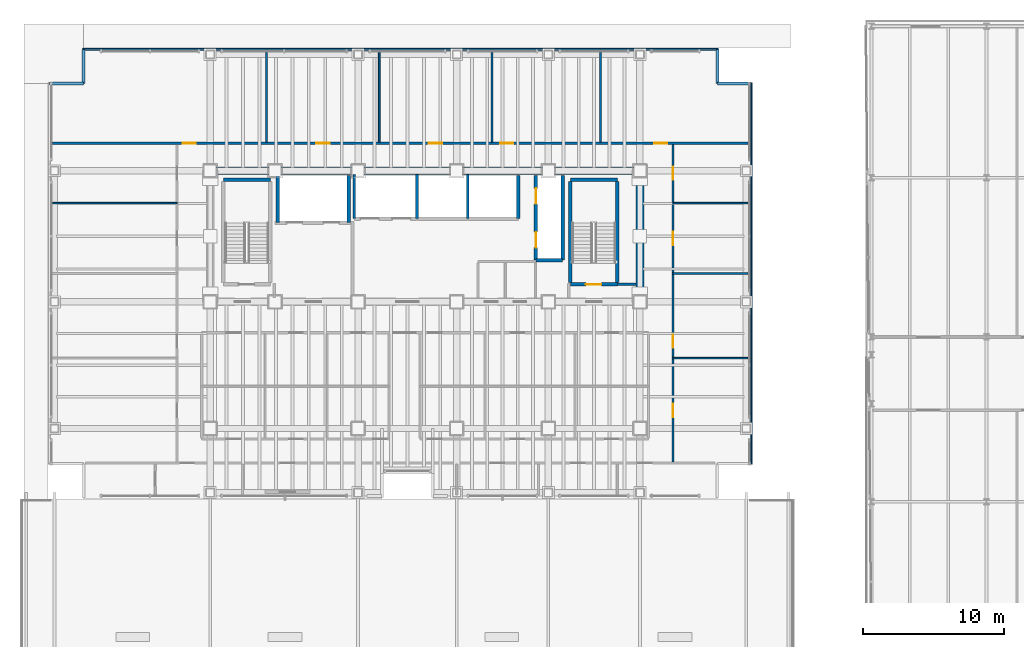
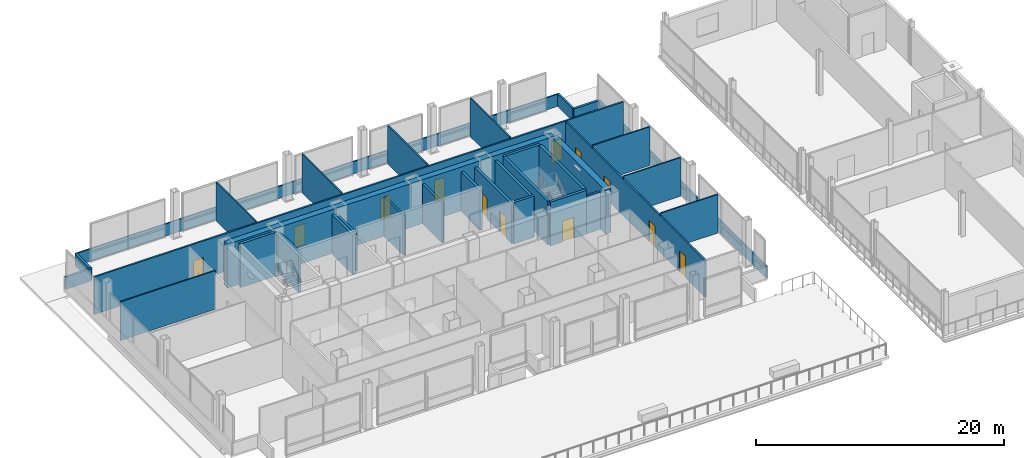
# One storey, part 28 of 34: 33 walls, 12 doors, 12 openings.
"""IFC4 building model written with IfcOpenShell, lengths in metres."""

from ifc_helpers import new_model, si_unit, direction, frame, frame_2d, origin, place, context, subcontext, project, spatial, rectangle, extrude, material, layer, layer_set, type_object, element, fill, save


model = new_model("IFC4")

# Units and contexts
model_context = context("Model", 3, precision=1e-05, world=origin(), true_north=direction((0.0, 1.0)))
body_context = subcontext(model_context, "Body", "Model", "MODEL_VIEW")
ifc_project = project(units=[si_unit("LENGTHUNIT", "METRE"), si_unit("AREAUNIT", "SQUARE_METRE"), si_unit("VOLUMEUNIT", "CUBIC_METRE"), si_unit("PLANEANGLEUNIT", "RADIAN"), si_unit("MASSUNIT", "GRAM", prefix="KILO")], contexts=[model_context])

# Site, building, storey
site_placement = place(None, origin())
site = spatial("IfcSite", under=ifc_project, at=site_placement, CompositionType="ELEMENT")
building_placement = place(site_placement, origin())
building = spatial("IfcBuilding", under=site, at=building_placement, Name="Noeulbin Bourse Tower", CompositionType="ELEMENT")
storey_placement = place(building_placement, frame((0.0, 0.0, 22.0)))
storey = spatial("IfcBuildingStorey", under=building, at=storey_placement, Name="L05", CompositionType="ELEMENT", Elevation=22.0)

# Walls
ifc_material_1 = material(Name="Concrete C60/75", Category="concrete")
ifc_layer_1 = layer(ifc_material_1, 0.550048828125)
ifc_layer_set_1 = layer_set([ifc_layer_1], Name="Concrete C60/75")
wall_type_1 = type_object("IfcWallType", Name="WAL-CORE-550", PredefinedType="SHEAR", material=ifc_layer_set_1)
wall_1_placement = place(storey_placement, frame((13.5, 38.300048828125, 0.0), z_axis=(0.0, 0.0, 1.0), x_axis=(1.0, 0.0, 0.0)))
element("IfcWall", 1, at=wall_1_placement, inside=storey, type_object=wall_type_1, Name="Rear Core North Shear Wall L05", PredefinedType="SHEAR", context=body_context, shape_type="SweptSolid", body=[
    extrude(rectangle(XDim=30.5, YDim=0.550048828125, at=frame_2d((15.25, 0.0))), origin(), (0.0, 0.0, 1.0), 4.320068359375),
])
wall_2_placement = place(storey_placement, frame((44.0, 29.35009765625, 0.0), z_axis=(0.0, 0.0, 1.0), x_axis=(0.0, 1.0, 0.0)))
element("IfcWall", 2, at=wall_2_placement, inside=storey, type_object=wall_type_1, Name="Rear Core East Shear Wall L05", PredefinedType="SHEAR", context=body_context, shape_type="SweptSolid", body=[
    extrude(rectangle(XDim=8.599853515625, YDim=0.550048828125, at=frame_2d((4.2998046875, 0.0))), origin(), (0.0, 0.0, 1.0), 4.320068359375),
])
ifc_material_2 = material(Name="Concrete C40/50", Category="concrete")
ifc_layer_2 = layer(ifc_material_2, 0.199951171875)
ifc_layer_set_2 = layer_set([ifc_layer_2], Name="Concrete C40/50")
wall_type_2 = type_object("IfcWallType", Name="WAL-FIRE-200", PredefinedType="STANDARD", material=ifc_layer_set_2)
wall_3_placement = place(storey_placement, frame((42.39990234375, 30.239990234375, 0.0), z_axis=(0.0, 0.0, 1.0), x_axis=(1.0, 0.0, 0.0)))
element("IfcWall", 3, at=wall_3_placement, inside=storey, type_object=wall_type_2, Name="Interior Partition Wall L05-01", PredefinedType="STANDARD", context=body_context, shape_type="SweptSolid", body=[
    extrude(rectangle(XDim=1.315185546875, YDim=0.199951171875, at=frame_2d((0.65771484375, 0.0))), origin(), (0.0, 0.0, 1.0), 3.699951171875),
])
ifc_layer_3 = layer(ifc_material_2, 0.199951171875)
ifc_layer_set_3 = layer_set([ifc_layer_3], Name="Concrete C40/50")
wall_type_3 = type_object("IfcWallType", Name="WAL-PAR-200", PredefinedType="PARAPET", material=ifc_layer_set_3)
for number, where, z_axis, x_axis, name in (
    (4, (2.10009765625, 44.5, 0.0), (0.0, 0.0, 1.0), (1.0, 0.0, 0.0), "Corner Notch Parapet L05-NW1"),
    (5, (4.5, 44.5, 0.0), (0.0, 0.0, 1.0), (0.0, 1.0, 0.0), "Corner Notch Parapet L05-NW2"),
    (6, (49.5, 46.89990234375, 0.0), (0.0, 0.0, 1.0), (0.0, -1.0, 0.0), "Corner Notch Parapet L05-NE1"),
    (7, (49.5, 44.5, 0.0), (0.0, 0.0, 1.0), (1.0, 0.0, 0.0), "Corner Notch Parapet L05-NE2"),
):
    element("IfcWall", number, at=place(storey_placement, frame(where, z_axis=z_axis, x_axis=x_axis)), inside=storey, type_object=wall_type_3, Name=name, PredefinedType="PARAPET", context=body_context, shape_type="SweptSolid", body=[
        extrude(rectangle(XDim=2.39990234375, YDim=0.199951171875, at=frame_2d((1.199951171875, 0.0))), origin(), (0.0, 0.0, 1.0), 1.199951171875),
    ])
wall_4_placement = place(storey_placement, frame((4.449951171875, 46.929931640625, 0.0), z_axis=(0.0, 0.0, 1.0), x_axis=(1.0, 0.0, 0.0)))
element("IfcWall", 8, at=wall_4_placement, inside=storey, type_object=wall_type_3, Name="Tower Base North Step-Back Parapet L05", PredefinedType="PARAPET", context=body_context, shape_type="SweptSolid", body=[
    extrude(rectangle(XDim=45.10009765625, YDim=0.1201171875, at=frame_2d((22.550048828125, 0.0))), origin(), (0.0, 0.0, 1.0), 1.199951171875),
])
wall_5_placement = place(storey_placement, frame((51.929931640625, 17.449951171875, 0.0), z_axis=(0.0, 0.0, 1.0), x_axis=(0.0, 1.0, 0.0)))
element("IfcWall", 9, at=wall_5_placement, inside=storey, type_object=wall_type_3, Name="Tower Base East Step-Back Parapet L05", PredefinedType="PARAPET", context=body_context, shape_type="SweptSolid", body=[
    extrude(rectangle(XDim=27.10009765625, YDim=0.1201171875, at=frame_2d((13.550048828125, 0.0))), origin(), (0.0, 0.0, 1.0), 1.199951171875),
])
ifc_material_3 = material(Name="Steel Stud Gypsum Partition", Category="steel")
ifc_layer_4 = layer(ifc_material_3, 0.1201171875)
ifc_layer_set_4 = layer_set([ifc_layer_4], Name="Steel Stud Gypsum Partition")
wall_type_4 = type_object("IfcWallType", Name="WAL-PRT-120", PredefinedType="PARTITIONING", material=ifc_layer_set_4)
wall_6_placement = place(storey_placement, frame((2.31005859375, 36.0, 0.0), z_axis=(0.0, 0.0, 1.0), x_axis=(1.0, 0.0, 0.0)))
element("IfcWall", 10, at=wall_6_placement, inside=storey, type_object=wall_type_4, Name="Interior Partition Wall L05-15", PredefinedType="PARTITIONING", context=body_context, shape_type="SweptSolid", body=[
    extrude(rectangle(XDim=8.83984375, YDim=0.1201171875, at=frame_2d((4.419921875, 0.0))), origin(), (0.0, 0.0, 1.0), 3.81201171875),
])
for number, where, z_axis, x_axis, name in (
    (11, (46.35009765625, 25.0, 0.0), (0.0, 0.0, 1.0), (1.0, 0.0, 0.0), "Interior Partition Wall L05-16"),
    (12, (46.35009765625, 31.0, 0.0), (0.0, 0.0, 1.0), (1.0, 0.0, 0.0), "Interior Partition Wall L05-17"),
    (13, (46.35009765625, 36.0, 0.0), (0.0, 0.0, 1.0), (1.0, 0.0, 0.0), "Interior Partition Wall L05-18"),
):
    element("IfcWall", number, at=place(storey_placement, frame(where, z_axis=z_axis, x_axis=x_axis)), inside=storey, type_object=wall_type_4, Name=name, PredefinedType="PARTITIONING", context=body_context, shape_type="SweptSolid", body=[
        extrude(rectangle(XDim=5.33984375, YDim=0.1201171875, at=frame_2d((2.669921875, 0.0))), origin(), (0.0, 0.0, 1.0), 3.81201171875),
    ])
for number, where, z_axis, x_axis, name in (
    (14, (17.5, 40.3349609375, 0.0), (0.0, 0.0, 1.0), (0.0, 1.0, 0.0), "Interior Partition Wall L05-43"),
    (15, (25.5, 40.3349609375, 0.0), (0.0, 0.0, 1.0), (0.0, 1.0, 0.0), "Interior Partition Wall L05-44"),
    (16, (33.5, 40.3349609375, 0.0), (0.0, 0.0, 1.0), (0.0, 1.0, 0.0), "Interior Partition Wall L05-45"),
    (17, (41.199951171875, 40.3349609375, 0.0), (0.0, 0.0, 1.0), (0.0, 1.0, 0.0), "Interior Partition Wall L05-46"),
):
    element("IfcWall", number, at=place(storey_placement, frame(where, z_axis=z_axis, x_axis=x_axis)), inside=storey, type_object=wall_type_4, Name=name, PredefinedType="PARTITIONING", context=body_context, shape_type="SweptSolid", body=[
        extrude(rectangle(XDim=6.35498046875, YDim=0.1201171875, at=frame_2d((3.177490234375, 0.0))), origin(), (0.0, 0.0, 1.0), 3.81201171875),
    ])

# Wall, openings, doors
ifc_material_4 = material(Name="Steel Stud Acoustic Gypsum Board", Category="steel")
ifc_layer_5 = layer(ifc_material_4, 0.14990234375)
ifc_layer_set_5 = layer_set([ifc_layer_5], Name="Steel Stud Acoustic Gypsum Board")
wall_type_5 = type_object("IfcWallType", Name="WAL-PRT-150", PredefinedType="PARTITIONING", material=ifc_layer_set_5)
wall_7_placement = place(storey_placement, frame((2.31005859375, 40.25, 0.0), z_axis=(0.0, 0.0, 1.0), x_axis=(1.0, 0.0, 0.0)))
wall_7 = element("IfcWall", 18, at=wall_7_placement, inside=storey, type_object=wall_type_5, Name="Interior Partition Wall L05-19", PredefinedType="PARTITIONING", context=body_context, shape_type="SweptSolid", body=[
    extrude(rectangle(XDim=49.3798828125, YDim=0.14990234375, at=frame_2d((24.68994140625, 0.0))), origin(), (0.0, 0.0, 1.0), 3.699951171875),
])
opening_1_placement = place(wall_7_placement, frame((9.22998046875, 0.0, 0.0)))
opening_1 = element("IfcOpeningElement", 19, at=opening_1_placement, cuts=wall_7, Name="Opening ID-09", PredefinedType="OPENING", context=body_context, shape_type="SweptSolid", body=[
    extrude(rectangle(XDim=0.949951171875, YDim=2.080078125, at=frame_2d((0.47509765625, 1.0400390625))), frame((0.0, 0.0849609375, 0.0), z_axis=(0.0, -1.0, 0.0), x_axis=(1.0, 0.0, 0.0)), (0.0, 0.0, 1.0), 0.169921875),
])
opening_2_placement = place(wall_7_placement, frame((18.715087890625, 0.0, 0.0)))
opening_2 = element("IfcOpeningElement", 20, at=opening_2_placement, cuts=wall_7, Name="Opening ID-09", PredefinedType="OPENING", context=body_context, shape_type="SweptSolid", body=[
    extrude(rectangle(XDim=0.949951171875, YDim=2.080078125, at=frame_2d((0.47509765625, 1.0400390625))), frame((0.0, 0.0849609375, 0.0), z_axis=(0.0, -1.0, 0.0), x_axis=(1.0, 0.0, 0.0)), (0.0, 0.0, 1.0), 0.169921875),
])
opening_3_placement = place(wall_7_placement, frame((26.715087890625, 0.0, 0.0)))
opening_3 = element("IfcOpeningElement", 21, at=opening_3_placement, cuts=wall_7, Name="Opening ID-09", PredefinedType="OPENING", context=body_context, shape_type="SweptSolid", body=[
    extrude(rectangle(XDim=0.949951171875, YDim=2.080078125, at=frame_2d((0.47509765625, 1.0400390625))), frame((0.0, 0.0849609375, 0.0), z_axis=(0.0, -1.0, 0.0), x_axis=(1.0, 0.0, 0.0)), (0.0, 0.0, 1.0), 0.169921875),
])
opening_4_placement = place(wall_7_placement, frame((31.764892578125, 0.0, 0.0)))
opening_4 = element("IfcOpeningElement", 22, at=opening_4_placement, cuts=wall_7, Name="Opening ID-09", PredefinedType="OPENING", context=body_context, shape_type="SweptSolid", body=[
    extrude(rectangle(XDim=0.949951171875, YDim=2.080078125, at=frame_2d((0.47509765625, 1.0400390625))), frame((0.0, 0.0849609375, 0.0), z_axis=(0.0, -1.0, 0.0), x_axis=(1.0, 0.0, 0.0)), (0.0, 0.0, 1.0), 0.169921875),
])
opening_5_placement = place(wall_7_placement, frame((42.699951171875, 0.0, 0.0)))
opening_5 = element("IfcOpeningElement", 23, at=opening_5_placement, cuts=wall_7, Name="Opening ID-09", PredefinedType="OPENING", context=body_context, shape_type="SweptSolid", body=[
    extrude(rectangle(XDim=0.949951171875, YDim=2.080078125, at=frame_2d((0.47509765625, 1.0400390625))), frame((0.0, 0.0849609375, 0.0), z_axis=(0.0, -1.0, 0.0), x_axis=(1.0, 0.0, 0.0)), (0.0, 0.0, 1.0), 0.169921875),
])
ifc_material_5 = material(Name="Acoustic Solid-Core Timber", Category="wood")
door_type_1 = type_object("IfcDoorType", Name="DR-SINGLE-950", OperationType="SINGLE_SWING_LEFT", PredefinedType="DOOR", material=ifc_material_5)
door_1_placement = place(opening_1_placement, origin())
door_1 = element("IfcDoor", 24, at=door_1_placement, inside=storey, type_object=door_type_1, Name="Interior Door L05-34", OperationType="SINGLE_SWING_RIGHT", OverallHeight=2.080078125, OverallWidth=0.949951171875, PredefinedType="DOOR", context=body_context, shape_type="SweptSolid", body=[
    extrude(rectangle(XDim=0.949951171875, YDim=2.080078125, at=frame_2d((0.47509765625, 1.0400390625))), frame((0.0, 0.02490234375, 0.0), z_axis=(0.0, -1.0, 0.0), x_axis=(1.0, 0.0, 0.0)), (0.0, 0.0, 1.0), 0.050048828125),
])
fill(opening_1, door_1)
door_2_placement = place(opening_2_placement, origin())
door_2 = element("IfcDoor", 25, at=door_2_placement, inside=storey, type_object=door_type_1, Name="Interior Door L05-35", OperationType="SINGLE_SWING_LEFT", OverallHeight=2.080078125, OverallWidth=0.949951171875, PredefinedType="DOOR", context=body_context, shape_type="SweptSolid", body=[
    extrude(rectangle(XDim=0.949951171875, YDim=2.080078125, at=frame_2d((0.47509765625, 1.0400390625))), frame((0.0, 0.02490234375, 0.0), z_axis=(0.0, -1.0, 0.0), x_axis=(1.0, 0.0, 0.0)), (0.0, 0.0, 1.0), 0.050048828125),
])
fill(opening_2, door_2)
door_3_placement = place(opening_3_placement, origin())
door_3 = element("IfcDoor", 26, at=door_3_placement, inside=storey, type_object=door_type_1, Name="Interior Door L05-36", OperationType="SINGLE_SWING_RIGHT", OverallHeight=2.080078125, OverallWidth=0.949951171875, PredefinedType="DOOR", context=body_context, shape_type="SweptSolid", body=[
    extrude(rectangle(XDim=0.949951171875, YDim=2.080078125, at=frame_2d((0.47509765625, 1.0400390625))), frame((0.0, 0.02490234375, 0.0), z_axis=(0.0, -1.0, 0.0), x_axis=(1.0, 0.0, 0.0)), (0.0, 0.0, 1.0), 0.050048828125),
])
fill(opening_3, door_3)
door_4_placement = place(opening_4_placement, origin())
door_4 = element("IfcDoor", 27, at=door_4_placement, inside=storey, type_object=door_type_1, Name="Interior Door L05-37", OperationType="SINGLE_SWING_LEFT", OverallHeight=2.080078125, OverallWidth=0.949951171875, PredefinedType="DOOR", context=body_context, shape_type="SweptSolid", body=[
    extrude(rectangle(XDim=0.949951171875, YDim=2.080078125, at=frame_2d((0.47509765625, 1.0400390625))), frame((0.0, 0.02490234375, 0.0), z_axis=(0.0, -1.0, 0.0), x_axis=(1.0, 0.0, 0.0)), (0.0, 0.0, 1.0), 0.050048828125),
])
fill(opening_4, door_4)
door_5_placement = place(opening_5_placement, origin())
door_5 = element("IfcDoor", 28, at=door_5_placement, inside=storey, type_object=door_type_1, Name="Interior Door L05-38", OperationType="SINGLE_SWING_RIGHT", OverallHeight=2.080078125, OverallWidth=0.949951171875, PredefinedType="DOOR", context=body_context, shape_type="SweptSolid", body=[
    extrude(rectangle(XDim=0.949951171875, YDim=2.080078125, at=frame_2d((0.47509765625, 1.0400390625))), frame((0.0, 0.02490234375, 0.0), z_axis=(0.0, -1.0, 0.0), x_axis=(1.0, 0.0, 0.0)), (0.0, 0.0, 1.0), 0.050048828125),
])
fill(opening_5, door_5)

wall_8_placement = place(storey_placement, frame((46.35009765625, 17.635009765625, 0.0), z_axis=(0.0, 0.0, 1.0), x_axis=(0.0, 1.0, 0.0)))
wall_8 = element("IfcWall", 29, at=wall_8_placement, inside=storey, type_object=wall_type_5, Name="Interior Partition Wall L05-32", PredefinedType="PARTITIONING", context=body_context, shape_type="SweptSolid", body=[
    extrude(rectangle(XDim=22.530029296875, YDim=0.14990234375, at=frame_2d((11.26513671875, 0.0))), origin(), (0.0, 0.0, 1.0), 3.60009765625),
])
opening_6_placement = place(wall_8_placement, frame((3.1650390625, 0.0, 0.0)))
opening_6 = element("IfcOpeningElement", 30, at=opening_6_placement, cuts=wall_8, Name="Opening ID-09", PredefinedType="OPENING", context=body_context, shape_type="SweptSolid", body=[
    extrude(rectangle(XDim=0.949951171875, YDim=2.080078125, at=frame_2d((0.47509765625, 1.0400390625))), frame((0.0, 0.0849609375, 0.0), z_axis=(0.0, -1.0, 0.0), x_axis=(1.0, 0.0, 0.0)), (0.0, 0.0, 1.0), 0.169921875),
])
opening_7_placement = place(wall_8_placement, frame((8.090087890625, 0.0, 0.0)))
opening_7 = element("IfcOpeningElement", 31, at=opening_7_placement, cuts=wall_8, Name="Opening ID-09", PredefinedType="OPENING", context=body_context, shape_type="SweptSolid", body=[
    extrude(rectangle(XDim=0.949951171875, YDim=2.080078125, at=frame_2d((0.47509765625, 1.0400390625))), frame((0.0, 0.0849609375, 0.0), z_axis=(0.0, -1.0, 0.0), x_axis=(1.0, 0.0, 0.0)), (0.0, 0.0, 1.0), 0.169921875),
])
opening_8_placement = place(wall_8_placement, frame((15.389892578125, 0.0, 0.0)))
opening_8 = element("IfcOpeningElement", 32, at=opening_8_placement, cuts=wall_8, Name="Opening ID-09", PredefinedType="OPENING", context=body_context, shape_type="SweptSolid", body=[
    extrude(rectangle(XDim=0.949951171875, YDim=2.080078125, at=frame_2d((0.47509765625, 1.0400390625))), frame((0.0, 0.0849609375, 0.0), z_axis=(0.0, -1.0, 0.0), x_axis=(1.0, 0.0, 0.0)), (0.0, 0.0, 1.0), 0.169921875),
])
opening_9_placement = place(wall_8_placement, frame((20.014892578125, 0.0, 0.0)))
opening_9 = element("IfcOpeningElement", 33, at=opening_9_placement, cuts=wall_8, Name="Opening ID-09", PredefinedType="OPENING", context=body_context, shape_type="SweptSolid", body=[
    extrude(rectangle(XDim=0.949951171875, YDim=2.080078125, at=frame_2d((0.47509765625, 1.0400390625))), frame((0.0, 0.0849609375, 0.0), z_axis=(0.0, -1.0, 0.0), x_axis=(1.0, 0.0, 0.0)), (0.0, 0.0, 1.0), 0.169921875),
])
door_6_placement = place(opening_6_placement, origin())
door_6 = element("IfcDoor", 34, at=door_6_placement, inside=storey, type_object=door_type_1, Name="Interior Door L05-30", OperationType="SINGLE_SWING_RIGHT", OverallHeight=2.080078125, OverallWidth=0.949951171875, PredefinedType="DOOR", context=body_context, shape_type="SweptSolid", body=[
    extrude(rectangle(XDim=0.949951171875, YDim=2.080078125, at=frame_2d((0.47509765625, 1.0400390625))), frame((0.0, 0.02490234375, 0.0), z_axis=(0.0, -1.0, 0.0), x_axis=(1.0, 0.0, 0.0)), (0.0, 0.0, 1.0), 0.050048828125),
])
fill(opening_6, door_6)
door_7_placement = place(opening_7_placement, origin())
door_7 = element("IfcDoor", 35, at=door_7_placement, inside=storey, type_object=door_type_1, Name="Interior Door L05-31", OperationType="SINGLE_SWING_LEFT", OverallHeight=2.080078125, OverallWidth=0.949951171875, PredefinedType="DOOR", context=body_context, shape_type="SweptSolid", body=[
    extrude(rectangle(XDim=0.949951171875, YDim=2.080078125, at=frame_2d((0.47509765625, 1.0400390625))), frame((0.0, 0.02490234375, 0.0), z_axis=(0.0, -1.0, 0.0), x_axis=(1.0, 0.0, 0.0)), (0.0, 0.0, 1.0), 0.050048828125),
])
fill(opening_7, door_7)
door_8_placement = place(opening_8_placement, origin())
door_8 = element("IfcDoor", 36, at=door_8_placement, inside=storey, type_object=door_type_1, Name="Interior Door L05-32", OperationType="SINGLE_SWING_RIGHT", OverallHeight=2.080078125, OverallWidth=0.949951171875, PredefinedType="DOOR", context=body_context, shape_type="SweptSolid", body=[
    extrude(rectangle(XDim=0.949951171875, YDim=2.080078125, at=frame_2d((0.47509765625, 1.0400390625))), frame((0.0, 0.02490234375, 0.0), z_axis=(0.0, -1.0, 0.0), x_axis=(1.0, 0.0, 0.0)), (0.0, 0.0, 1.0), 0.050048828125),
])
fill(opening_8, door_8)
door_9_placement = place(opening_9_placement, origin())
door_9 = element("IfcDoor", 37, at=door_9_placement, inside=storey, type_object=door_type_1, Name="Interior Door L05-33", OperationType="SINGLE_SWING_LEFT", OverallHeight=2.080078125, OverallWidth=0.949951171875, PredefinedType="DOOR", context=body_context, shape_type="SweptSolid", body=[
    extrude(rectangle(XDim=0.949951171875, YDim=2.080078125, at=frame_2d((0.47509765625, 1.0400390625))), frame((0.0, 0.02490234375, 0.0), z_axis=(0.0, -1.0, 0.0), x_axis=(1.0, 0.0, 0.0)), (0.0, 0.0, 1.0), 0.050048828125),
])
fill(opening_9, door_9)

# Wall
ifc_layer_6 = layer(ifc_material_2, 0.25)
ifc_layer_set_6 = layer_set([ifc_layer_6], Name="Concrete C40/50")
wall_type_6 = type_object("IfcWallType", Name="WAL-SHFT-250", PredefinedType="STANDARD", material=ifc_layer_set_6)
wall_9_placement = place(storey_placement, frame((14.429931640625, 37.6689453125, 0.0), z_axis=(0.0, 0.0, 1.0), x_axis=(1.0, 0.0, 0.0)))
element("IfcWall", 38, at=wall_9_placement, inside=storey, type_object=wall_type_6, Name="Stair ST-1 North Shaft Wall L05", PredefinedType="STANDARD", context=body_context, shape_type="SweptSolid", body=[
    extrude(rectangle(XDim=3.340087890625, YDim=0.25, at=frame_2d((1.669921875, 0.0))), origin(), (0.0, 0.0, 1.0), 4.320068359375),
])

# Wall, opening, door
wall_10_placement = place(storey_placement, frame((39.06005859375, 30.235107421875, 0.0), z_axis=(0.0, 0.0, 1.0), x_axis=(1.0, 0.0, 0.0)))
wall_10 = element("IfcWall", 39, at=wall_10_placement, inside=storey, type_object=wall_type_6, Name="Stair ST-2 South Shaft Wall L05", PredefinedType="STANDARD", context=body_context, shape_type="SweptSolid", body=[
    extrude(rectangle(XDim=3.33984375, YDim=0.25, at=frame_2d((1.669921875, 0.0))), origin(), (0.0, 0.0, 1.0), 4.320068359375),
])
opening_10_placement = place(wall_10_placement, frame((1.10009765625, 0.0, 0.0)))
opening_10 = element("IfcOpeningElement", 40, at=opening_10_placement, cuts=wall_10, Name="Opening FD-11", PredefinedType="OPENING", context=body_context, shape_type="SweptSolid", body=[
    extrude(rectangle(XDim=1.10009765625, YDim=2.080078125, at=frame_2d((0.550048828125, 1.0400390625))), frame((0.0, 0.135009765625, 0.0), z_axis=(0.0, -1.0, 0.0), x_axis=(1.0, 0.0, 0.0)), (0.0, 0.0, 1.0), 0.27001953125),
])
ifc_material_6 = material(Name="Fire-Rated Insulated Steel", Category="steel")
door_type_2 = type_object("IfcDoorType", Name="DR-FD60-1100", OperationType="SINGLE_SWING_LEFT", PredefinedType="DOOR", material=ifc_material_6)
door_10_placement = place(opening_10_placement, origin())
door_10 = element("IfcDoor", 41, at=door_10_placement, inside=storey, type_object=door_type_2, Name="Protected Stair Entry Door ST2-L05", OperationType="SINGLE_SWING_RIGHT", OverallHeight=2.080078125, OverallWidth=1.10009765625, PredefinedType="DOOR", context=body_context, shape_type="SweptSolid", body=[
    extrude(rectangle(XDim=1.10009765625, YDim=2.080078125, at=frame_2d((0.550048828125, 1.0400390625))), frame((0.0, 0.02490234375, 0.0), z_axis=(0.0, -1.0, 0.0), x_axis=(1.0, 0.0, 0.0)), (0.0, 0.0, 1.0), 0.050048828125),
])
fill(opening_10, door_10)

# Walls
wall_11_placement = place(storey_placement, frame((39.06005859375, 37.6689453125, 0.0), z_axis=(0.0, 0.0, 1.0), x_axis=(1.0, 0.0, 0.0)))
element("IfcWall", 42, at=wall_11_placement, inside=storey, type_object=wall_type_6, Name="Stair ST-2 North Shaft Wall L05", PredefinedType="STANDARD", context=body_context, shape_type="SweptSolid", body=[
    extrude(rectangle(XDim=3.33984375, YDim=0.25, at=frame_2d((1.669921875, 0.0))), origin(), (0.0, 0.0, 1.0), 4.320068359375),
])
for number, where, z_axis, x_axis, name in (
    (43, (39.054931640625, 30.360107421875, 0.0), (0.0, 0.0, 1.0), (0.0, 1.0, 0.0), "Stair ST-2 West Shaft Wall L05"),
    (44, (42.405029296875, 30.360107421875, 0.0), (0.0, 0.0, 1.0), (0.0, 1.0, 0.0), "Stair ST-2 East Shaft Wall L05"),
):
    element("IfcWall", number, at=place(storey_placement, frame(where, z_axis=z_axis, x_axis=x_axis)), inside=storey, type_object=wall_type_6, Name=name, PredefinedType="STANDARD", context=body_context, shape_type="SweptSolid", body=[
        extrude(rectangle(XDim=7.183837890625, YDim=0.25, at=frame_2d((3.591796875, 0.0))), origin(), (0.0, 0.0, 1.0), 4.320068359375),
    ])

# Wall, openings, doors
wall_12_placement = place(storey_placement, frame((36.6201171875, 31.949951171875, 0.0), z_axis=(0.0, 0.0, 1.0), x_axis=(0.0, 1.0, 0.0)))
wall_12 = element("IfcWall", 45, at=wall_12_placement, inside=storey, type_object=wall_type_6, Name="Service Lift Shaft Wall L05", PredefinedType="STANDARD", context=body_context, shape_type="SweptSolid", body=[
    extrude(rectangle(XDim=6.0, YDim=0.25, at=frame_2d((3.0, 0.0))), origin(), (0.0, 0.0, 1.0), 3.89990234375),
])
opening_11_placement = place(wall_12_placement, frame((0.89990234375, 0.0, 0.0)))
opening_11 = element("IfcOpeningElement", 46, at=opening_11_placement, cuts=wall_12, Name="Opening LD-11", PredefinedType="OPENING", context=body_context, shape_type="SweptSolid", body=[
    extrude(rectangle(XDim=1.10009765625, YDim=2.080078125, at=frame_2d((0.550048828125, 1.0400390625))), frame((0.0, 0.135009765625, 0.0), z_axis=(0.0, -1.0, 0.0), x_axis=(1.0, 0.0, 0.0)), (0.0, 0.0, 1.0), 0.27001953125),
])
opening_12_placement = place(wall_12_placement, frame((4.0, 0.0, 0.0)))
opening_12 = element("IfcOpeningElement", 47, at=opening_12_placement, cuts=wall_12, Name="Opening LD-11", PredefinedType="OPENING", context=body_context, shape_type="SweptSolid", body=[
    extrude(rectangle(XDim=1.10009765625, YDim=2.080078125, at=frame_2d((0.550048828125, 1.0400390625))), frame((0.0, 0.135009765625, 0.0), z_axis=(0.0, -1.0, 0.0), x_axis=(1.0, 0.0, 0.0)), (0.0, 0.0, 1.0), 0.27001953125),
])
ifc_material_7 = material(Name="Brushed Stainless Steel 316", Category="steel")
door_type_3 = type_object("IfcDoorType", Name="DR-LIFT-1100", OperationType="SLIDING_TO_LEFT", PredefinedType="DOOR", material=ifc_material_7)
door_11_placement = place(opening_11_placement, origin())
door_11 = element("IfcDoor", 48, at=door_11_placement, inside=storey, type_object=door_type_3, Name="Lift Landing Door LD-EL-01-L05", OperationType="SLIDING_TO_LEFT", OverallHeight=2.080078125, OverallWidth=1.10009765625, PredefinedType="DOOR", context=body_context, shape_type="SweptSolid", body=[
    extrude(rectangle(XDim=1.10009765625, YDim=2.080078125, at=frame_2d((0.550048828125, 1.0400390625))), frame((0.0, 0.02490234375, 0.0), z_axis=(0.0, -1.0, 0.0), x_axis=(1.0, 0.0, 0.0)), (0.0, 0.0, 1.0), 0.050048828125),
])
fill(opening_11, door_11)
door_12_placement = place(opening_12_placement, origin())
door_12 = element("IfcDoor", 49, at=door_12_placement, inside=storey, type_object=door_type_3, Name="Lift Landing Door LD-SV-01-L05", OperationType="SLIDING_TO_LEFT", OverallHeight=2.080078125, OverallWidth=1.10009765625, PredefinedType="DOOR", context=body_context, shape_type="SweptSolid", body=[
    extrude(rectangle(XDim=1.10009765625, YDim=2.080078125, at=frame_2d((0.550048828125, 1.0400390625))), frame((0.0, 0.02490234375, 0.0), z_axis=(0.0, -1.0, 0.0), x_axis=(1.0, 0.0, 0.0)), (0.0, 0.0, 1.0), 0.050048828125),
])
fill(opening_12, door_12)

# Walls
wall_13_placement = place(storey_placement, frame((38.52001953125, 31.949951171875, 0.0), z_axis=(0.0, 0.0, 1.0), x_axis=(0.0, 1.0, 0.0)))
element("IfcWall", 50, at=wall_13_placement, inside=storey, type_object=wall_type_6, Name="Service Lift East Shaft Wall L05", PredefinedType="STANDARD", context=body_context, shape_type="SweptSolid", body=[
    extrude(rectangle(XDim=6.0, YDim=0.25, at=frame_2d((3.0, 0.0))), origin(), (0.0, 0.0, 1.0), 3.89990234375),
])
wall_14_placement = place(storey_placement, frame((36.6201171875, 31.949951171875, 0.0), z_axis=(0.0, 0.0, 1.0), x_axis=(1.0, 0.0, 0.0)))
element("IfcWall", 51, at=wall_14_placement, inside=storey, type_object=wall_type_6, Name="Service Lift South Shaft Wall L05", PredefinedType="STANDARD", context=body_context, shape_type="SweptSolid", body=[
    extrude(rectangle(XDim=1.89990234375, YDim=0.25, at=frame_2d((0.949951171875, 0.0))), origin(), (0.0, 0.0, 1.0), 4.080078125),
])
for number, where, z_axis, x_axis, name in (
    (52, (18.280029296875, 34.6201171875, 0.0), (0.0, 0.0, 1.0), (0.0, 1.0, 0.0), "Firefighting Lift West Shaft Wall L05"),
    (53, (23.320068359375, 34.6201171875, 0.0), (0.0, 0.0, 1.0), (0.0, 1.0, 0.0), "Firefighting Lift East Shaft Wall L05"),
):
    element("IfcWall", number, at=place(storey_placement, frame(where, z_axis=z_axis, x_axis=x_axis)), inside=storey, type_object=wall_type_6, Name=name, PredefinedType="STANDARD", context=body_context, shape_type="SweptSolid", body=[
        extrude(rectangle(XDim=3.329833984375, YDim=0.25, at=frame_2d((1.6650390625, 0.0))), origin(), (0.0, 0.0, 1.0), 3.89990234375),
    ])
wall_15_placement = place(storey_placement, frame((35.360107421875, 34.89990234375, 0.0), z_axis=(0.0, 0.0, 1.0), x_axis=(0.0, 1.0, 0.0)))
element("IfcWall", 54, at=wall_15_placement, inside=storey, type_object=wall_type_6, Name="High-Rise Lift East Shaft Wall L05", PredefinedType="STANDARD", context=body_context, shape_type="SweptSolid", body=[
    extrude(rectangle(XDim=3.050048828125, YDim=0.25, at=frame_2d((1.52490234375, 0.0))), origin(), (0.0, 0.0, 1.0), 3.89990234375),
])
wall_16_placement = place(storey_placement, frame((23.719970703125, 34.89990234375, 0.0), z_axis=(0.0, 0.0, 1.0), x_axis=(0.0, 1.0, 0.0)))
element("IfcWall", 55, at=wall_16_placement, inside=storey, type_object=wall_type_6, Name="Hoistway Side Shaft Wall L05-PLLW", PredefinedType="STANDARD", context=body_context, shape_type="SweptSolid", body=[
    extrude(rectangle(XDim=3.1201171875, YDim=0.199951171875, at=frame_2d((1.56005859375, 0.0))), origin(), (0.0, 0.0, 1.0), 3.699951171875),
])
for number, where, z_axis, x_axis, name in (
    (56, (28.179931640625, 34.89990234375, 0.0), (0.0, 0.0, 1.0), (0.0, 1.0, 0.0), "Hoistway Side Shaft Wall L05-PLMW"),
    (57, (31.780029296875, 34.89990234375, 0.0), (0.0, 0.0, 1.0), (0.0, 1.0, 0.0), "Hoistway Side Shaft Wall L05-PLHW"),
):
    element("IfcWall", number, at=place(storey_placement, frame(where, z_axis=z_axis, x_axis=x_axis)), inside=storey, type_object=wall_type_6, Name=name, PredefinedType="STANDARD", context=body_context, shape_type="SweptSolid", body=[
        extrude(rectangle(XDim=3.1201171875, YDim=0.199951171875, at=frame_2d((1.56005859375, 0.0))), origin(), (0.0, 0.0, 1.0), 3.89990234375),
    ])

save(model, "model.ifc")
